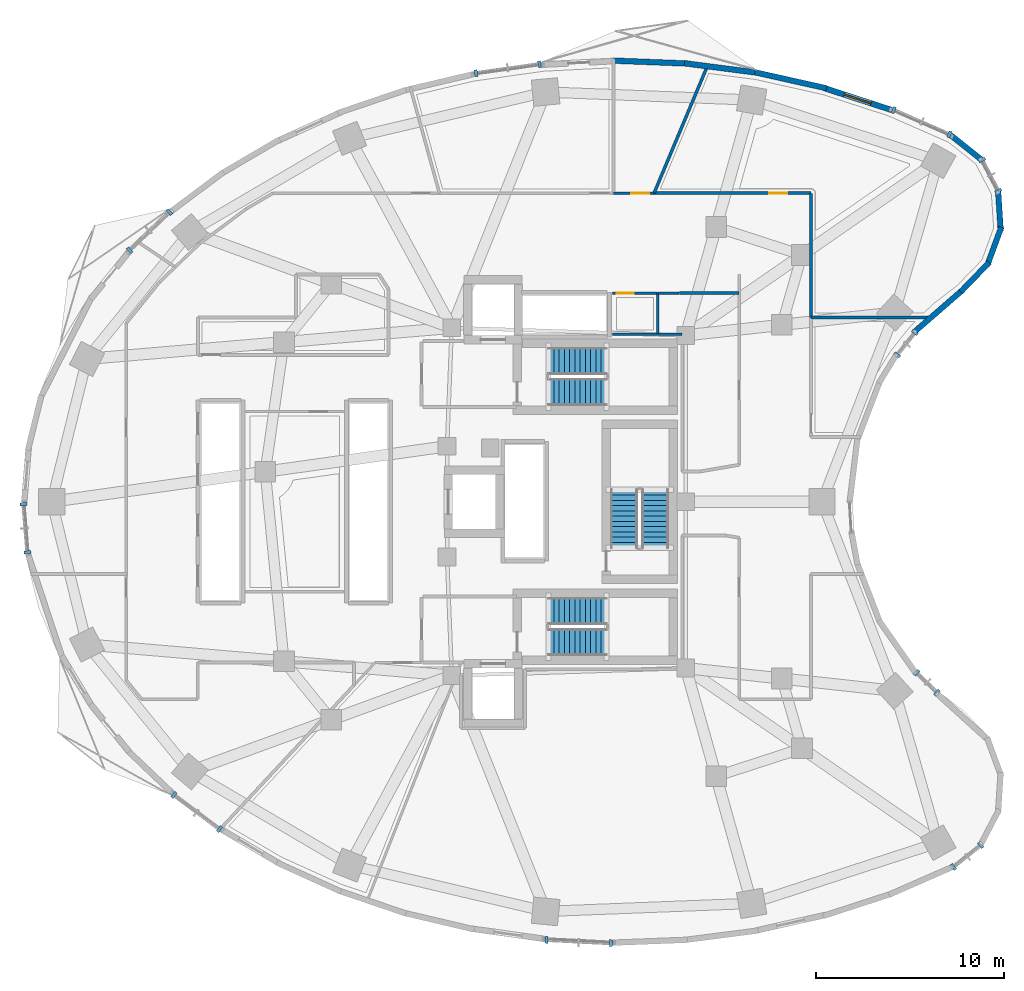
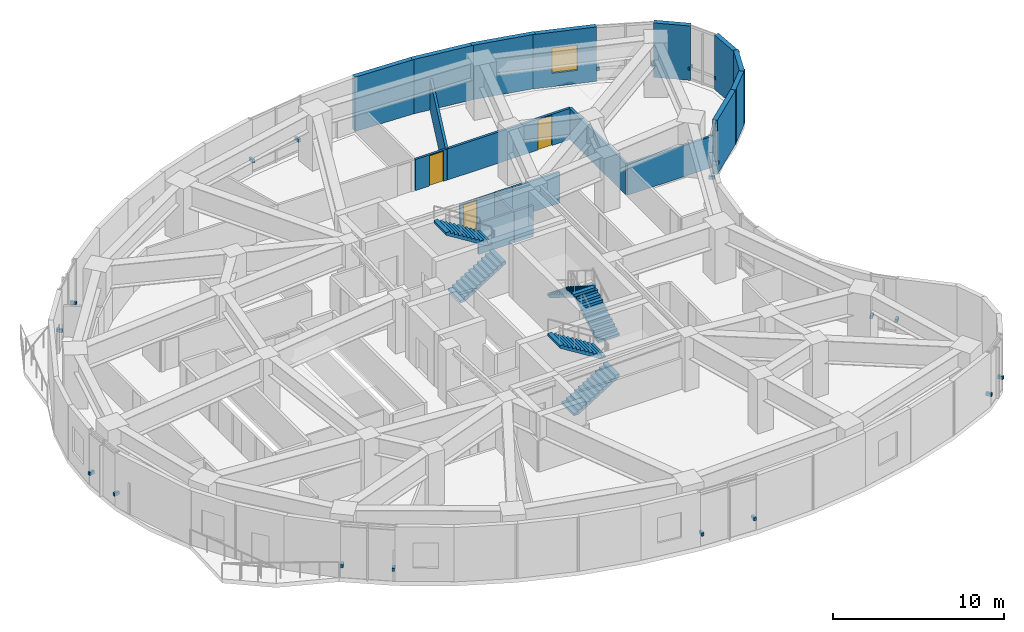
# One storey, part 10 of 13: 20 discrete accessories, 20 walls, 6 stair flights, 3 doors, 1 window, 4 openings, 3 elements without a shape of their own.
"""IFC4 building model written with IfcOpenShell, lengths in metres."""

from ifc_helpers import new_model, si_unit, direction, frame, frame_2d, origin, origin_2d, place, context, subcontext, project, spatial, polyline, rectangle, outline, extrude, material, layer, layer_set, type_object, element, fill, aggregate, save


model = new_model("IFC4")

# Units and contexts
model_context = context("Model", 3, precision=1e-05, world=origin(), true_north=direction((0.0, 1.0)))
body_context = subcontext(model_context, "Body", "Model", "MODEL_VIEW")
ifc_project = project(units=[si_unit("LENGTHUNIT", "METRE"), si_unit("AREAUNIT", "SQUARE_METRE"), si_unit("VOLUMEUNIT", "CUBIC_METRE"), si_unit("PLANEANGLEUNIT", "RADIAN"), si_unit("MASSUNIT", "GRAM", prefix="KILO")], contexts=[model_context])

# Site, building, storey
site_placement = place(None, origin())
site = spatial("IfcSite", under=ifc_project, at=site_placement, CompositionType="ELEMENT")
building_placement = place(site_placement, origin())
building = spatial("IfcBuilding", under=site, at=building_placement, Name="Korentha Bioscience Tower", CompositionType="ELEMENT")
storey_placement = place(building_placement, frame((0.0, 0.0, 80.39990234375)))
storey = spatial("IfcBuildingStorey", under=building, at=storey_placement, Name="L18", CompositionType="ELEMENT", Elevation=80.39990234375)

# Wall, opening, door
ifc_material_1 = material(Name="Double-Stud Acoustic Gypsum", Category="gypsum")
ifc_layer_1 = layer(ifc_material_1, 0.14990234375, Name="Double-Stud Acoustic Gypsum")
ifc_layer_set_1 = layer_set([ifc_layer_1], Name="Double-Stud Acoustic Gypsum (IW-L150)")
wall_type_1 = type_object("IfcWallType", Name="Acoustic Laboratory Partition Wall 150", PredefinedType="PARTITIONING", material=ifc_layer_set_1)
wall_1_placement = place(storey_placement, frame((35.850830078125, 43.409912109375, 0.0), z_axis=(0.0, 0.0, 1.0), x_axis=(-1.0, 0.0, 0.0)))
wall_1 = element("IfcWall", 1, at=wall_1_placement, inside=storey, type_object=wall_type_1, Name="L18 Wet Genomics Sequencing Laboratory 07 Entrance Wall", PredefinedType="PARTITIONING", context=body_context, shape_type="SweptSolid", body=[
    extrude(rectangle(XDim=2.14892578125, YDim=0.14990234375, at=frame_2d((1.074462890625, 0.0))), origin(), (0.0, 0.0, 1.0), 2.22021484375),
])
opening_1_placement = place(wall_1_placement, frame((0.239990234375, 0.0, 0.0)))
opening_1 = element("IfcOpeningElement", 2, at=opening_1_placement, cuts=wall_1, Name="Opening ID-10R", PredefinedType="OPENING", context=body_context, shape_type="SweptSolid", body=[
    extrude(rectangle(XDim=0.949951171875, YDim=2.14990234375, at=frame_2d((0.47509765625, 1.074951171875))), frame((0.0, 0.08984375, 0.0), z_axis=(0.0, -1.0, 0.0), x_axis=(1.0, 0.0, 0.0)), (0.0, 0.0, 1.0), 0.1796875),
])
ifc_material_2 = material(Name="Phenolic Laminate Timber Core", Category="wood")
door_type_1 = type_object("IfcDoorType", Name="Laboratory Single Leaf Door 950x2150 Right", OperationType="SINGLE_SWING_RIGHT", PredefinedType="DOOR", material=ifc_material_2)
door_1_placement = place(opening_1_placement, origin())
door_1 = element("IfcDoor", 3, at=door_1_placement, inside=storey, type_object=door_type_1, Name="L18 Wet Genomics Sequencing Laboratory 07 Door", OperationType="SINGLE_SWING_RIGHT", OverallHeight=2.14990234375, OverallWidth=0.949951171875, PredefinedType="DOOR", context=body_context, shape_type="SweptSolid", body=[
    extrude(rectangle(XDim=0.949951171875, YDim=2.14990234375, at=frame_2d((0.47509765625, 1.074951171875))), frame((0.0, 0.02490234375, 0.0), z_axis=(0.0, -1.0, 0.0), x_axis=(1.0, 0.0, 0.0)), (0.0, 0.0, 1.0), 0.050048828125),
])
fill(opening_1, door_1)

# Walls
wall_2_placement = place(storey_placement, frame((37.35009765625, 35.909912109375, 0.0), z_axis=(0.0, 0.0, 1.0), x_axis=(-1.0, 0.0, 0.0)))
element("IfcWall", 4, at=wall_2_placement, inside=storey, type_object=wall_type_1, Name="L18 Interior Partition 039", PredefinedType="PARTITIONING", context=body_context, shape_type="SweptSolid", body=[
    extrude(rectangle(XDim=1.2900390625, YDim=0.14990234375, at=frame_2d((0.64501953125, 0.0))), origin(), (0.0, 0.0, 1.0), 2.22021484375),
])
wall_3_placement = place(storey_placement, frame((36.06005859375, 38.090087890625, 0.0), z_axis=(0.0, 0.0, 1.0), x_axis=(1.0, 0.0, 0.0)))
element("IfcWall", 5, at=wall_3_placement, inside=storey, type_object=wall_type_1, Name="L18 Interior Partition 040", PredefinedType="PARTITIONING", context=body_context, shape_type="SweptSolid", body=[
    extrude(rectangle(XDim=1.139892578125, YDim=0.14990234375, at=frame_2d((0.56982421875, 0.0))), origin(), (0.0, 0.0, 1.0), 2.22021484375),
])
wall_4_placement = place(storey_placement, frame((37.2099609375, 38.10009765625, 0.0), z_axis=(0.0, 0.0, 1.0), x_axis=(1.0, 0.0, 0.0)))
element("IfcWall", 6, at=wall_4_placement, inside=storey, type_object=wall_type_1, Name="L18 Interior Partition 042", PredefinedType="PARTITIONING", context=body_context, shape_type="SweptSolid", body=[
    extrude(rectangle(XDim=3.179931640625, YDim=0.14990234375, at=frame_2d((1.58984375, 0.0))), origin(), (0.0, 0.0, 1.0), 2.22021484375),
])

# Wall, opening, door
ifc_material_3 = material(Name="Gypsum-Clad Steel Stud", Category="steel")
ifc_layer_2 = layer(ifc_material_3, 0.159912109375, Name="Gypsum-Clad Steel Stud")
ifc_layer_set_2 = layer_set([ifc_layer_2], Name="Gypsum-Clad Steel Stud (IW-C160)")
wall_type_2 = type_object("IfcWallType", Name="Fire-Rated Corridor Partition Wall 160", PredefinedType="PARTITIONING", material=ifc_layer_set_2)
wall_5_placement = place(storey_placement, frame((44.199951171875, 43.409912109375, 0.0), z_axis=(0.0, 0.0, 1.0), x_axis=(-1.0, 0.0, 0.0)))
wall_5 = element("IfcWall", 7, at=wall_5_placement, inside=storey, type_object=wall_type_2, Name="L18 Biosafety Equipment Store 06 Entrance Wall", PredefinedType="PARTITIONING", context=body_context, shape_type="SweptSolid", body=[
    extrude(rectangle(XDim=8.339111328125, YDim=0.159912109375, at=frame_2d((4.16943359375, 0.0))), origin(), (0.0, 0.0, 1.0), 2.22021484375),
])
opening_2_placement = place(wall_5_placement, frame((1.266357421875, 0.0, 0.0)))
opening_2 = element("IfcOpeningElement", 8, at=opening_2_placement, cuts=wall_5, Name="Opening ID-10L", PredefinedType="OPENING", context=body_context, shape_type="SweptSolid", body=[
    extrude(rectangle(XDim=0.949951171875, YDim=2.14990234375, at=frame_2d((0.47509765625, 1.074951171875))), frame((0.0, 0.0947265625, 0.0), z_axis=(0.0, -1.0, 0.0), x_axis=(1.0, 0.0, 0.0)), (0.0, 0.0, 1.0), 0.189697265625),
])
door_type_2 = type_object("IfcDoorType", Name="Laboratory Single Leaf Door 950x2150 Left", OperationType="SINGLE_SWING_LEFT", PredefinedType="DOOR", material=ifc_material_2)
door_2_placement = place(opening_2_placement, origin())
door_2 = element("IfcDoor", 9, at=door_2_placement, inside=storey, type_object=door_type_2, Name="L18 Biosafety Equipment Store 06 Door", OperationType="SINGLE_SWING_LEFT", OverallHeight=2.14990234375, OverallWidth=0.949951171875, PredefinedType="DOOR", context=body_context, shape_type="SweptSolid", body=[
    extrude(rectangle(XDim=0.949951171875, YDim=2.14990234375, at=frame_2d((0.47509765625, 1.074951171875))), frame((0.0, 0.02490234375, 0.0), z_axis=(0.0, -1.0, 0.0), x_axis=(1.0, 0.0, 0.0)), (0.0, 0.0, 1.0), 0.050048828125),
])
fill(opening_2, door_2)

# Walls
wall_6_placement = place(storey_placement, frame((44.2099609375, 36.798095703125, 0.0), z_axis=(0.0, 0.0, 1.0), x_axis=(1.0, 0.0, 0.0)))
element("IfcWall", 10, at=wall_6_placement, inside=storey, type_object=wall_type_2, Name="L18 Interior Partition 036", PredefinedType="PARTITIONING", context=body_context, shape_type="SweptSolid", body=[
    extrude(rectangle(XDim=6.343994140625, YDim=0.159912109375, at=frame_2d((3.171875, 0.0))), origin(), (0.0, 0.0, 1.0), 2.22021484375),
])
wall_7_placement = place(storey_placement, frame((44.2099609375, 36.80810546875, 0.0), z_axis=(0.0, 0.0, 1.0), x_axis=(0.0, 1.0, 0.0)))
element("IfcWall", 11, at=wall_7_placement, inside=storey, type_object=wall_type_2, Name="L18 Interior Partition 044", PredefinedType="PARTITIONING", context=body_context, shape_type="SweptSolid", body=[
    extrude(rectangle(XDim=6.591796875, YDim=0.159912109375, at=frame_2d((3.2958984375, 0.0))), origin(), (0.0, 0.0, 1.0), 2.22021484375),
])
wall_8_placement = place(storey_placement, frame((35.86083984375, 43.409912109375, 0.0), z_axis=(0.0, 0.0, 1.0), x_axis=(0.386904937991, 0.922119606645, 0.0)))
element("IfcWall", 12, at=wall_8_placement, inside=storey, type_object=wall_type_2, Name="L18 Interior Partition 045", PredefinedType="PARTITIONING", context=body_context, shape_type="SweptSolid", body=[
    extrude(rectangle(XDim=7.43896484375, YDim=0.159912109375, at=frame_2d((3.719482421875, 0.0))), origin(), (0.0, 0.0, 1.0), 2.22021484375),
])

# Wall, opening, window
ifc_material_4 = material(Name="Honed Limestone Precast Concrete C40", Category="masonry")
ifc_layer_3 = layer(ifc_material_4, 0.300048828125, Name="Honed Limestone Precast Concrete C40")
ifc_layer_set_3 = layer_set([ifc_layer_3], Name="Honed Limestone Precast Concrete C40 (EW-ST300)")
wall_type_3 = type_object("IfcWallType", Name="Honed Limestone Cavity Spandrel Wall 300", PredefinedType="STANDARD", material=ifc_layer_set_3)
wall_9_placement = place(storey_placement, frame((48.49951171875, 47.836181640625, 0.0), z_axis=(0.0, 0.0, 1.0), x_axis=(-0.950958033078, 0.30931993037, 0.0)))
wall_9 = element("IfcWall", 13, at=wall_9_placement, inside=storey, type_object=wall_type_3, Name="L18 Honed Limestone Spandrel Wall 02", PredefinedType="STANDARD", context=body_context, shape_type="SweptSolid", body=[
    extrude(rectangle(XDim=3.80029296875, YDim=0.300048828125, at=frame_2d((1.900146484375, 0.0))), origin(), (0.0, 0.0, 1.0), 3.880126953125),
])
opening_3_placement = place(wall_9_placement, frame((1.150146484375, 0.0, 0.949951171875)))
opening_3 = element("IfcOpeningElement", 14, at=opening_3_placement, cuts=wall_9, Name="Opening WN-02", PredefinedType="OPENING", context=body_context, shape_type="SweptSolid", body=[
    extrude(rectangle(XDim=1.5, YDim=1.800048828125, at=frame_2d((0.75, 0.89990234375))), frame((0.0, 0.1650390625, 0.0), z_axis=(0.0, -1.0, 0.0), x_axis=(1.0, 0.0, 0.0)), (0.0, 0.0, 1.0), 0.329833984375),
])
ifc_material_5 = material(Name="Thermally Broken Aluminium Triple Glazing", Category="aluminium")
window_type = type_object("IfcWindowType", Name="Acoustic Operable Office Window 1500x1800", PartitioningType="DOUBLE_PANEL_VERTICAL", PredefinedType="WINDOW", material=ifc_material_5)
window_placement = place(opening_3_placement, origin())
window = element("IfcWindow", 15, at=window_placement, inside=storey, type_object=window_type, Name="L18 Facade Window 02", OverallHeight=1.800048828125, OverallWidth=1.5, PartitioningType="DOUBLE_PANEL_VERTICAL", PredefinedType="WINDOW", context=body_context, shape_type="SweptSolid", body=[
    extrude(rectangle(XDim=1.5, YDim=1.800048828125, at=frame_2d((0.75, 0.89990234375))), frame((0.0, 0.030029296875, 0.0), z_axis=(0.0, -1.0, 0.0), x_axis=(1.0, 0.0, 0.0)), (0.0, 0.0, 1.0), 0.06005859375),
])
fill(opening_3, window)

# Walls
wall_10_placement = place(storey_placement, frame((45.03955078125, 48.9912109375, 0.0), z_axis=(0.0, 0.0, 1.0), x_axis=(-0.975868573345, 0.218358713032, 0.0)))
element("IfcWall", 16, at=wall_10_placement, inside=storey, type_object=wall_type_3, Name="L18 Limestone Perimeter Closure Wall 03", PredefinedType="STANDARD", context=body_context, shape_type="SweptSolid", body=[
    extrude(rectangle(XDim=3.90869140625, YDim=0.300048828125, at=frame_2d((1.954345703125, 0.0))), origin(), (0.0, 0.0, 1.0), 3.880126953125),
])
wall_11_placement = place(storey_placement, frame((41.39501953125, 49.814697265625, 0.0), z_axis=(0.0, 0.0, 1.0), x_axis=(-0.991734095036, 0.128310111617, 0.0)))
element("IfcWall", 17, at=wall_11_placement, inside=storey, type_object=wall_type_3, Name="L18 Limestone Perimeter Closure Wall 04", PredefinedType="STANDARD", context=body_context, shape_type="SweptSolid", body=[
    extrude(rectangle(XDim=3.955810546875, YDim=0.300048828125, at=frame_2d((1.97802734375, 0.0))), origin(), (0.0, 0.0, 1.0), 3.880126953125),
])
wall_12_placement = place(storey_placement, frame((37.643798828125, 50.307861328125, 0.0), z_axis=(0.0, 0.0, 1.0), x_axis=(-0.999245411623, 0.038840794937, 0.0)))
element("IfcWall", 18, at=wall_12_placement, inside=storey, type_object=wall_type_3, Name="L18 Limestone Perimeter Closure Wall 05", PredefinedType="STANDARD", context=body_context, shape_type="SweptSolid", body=[
    extrude(rectangle(XDim=3.978759765625, YDim=0.300048828125, at=frame_2d((1.9892578125, 0.0))), origin(), (0.0, 0.0, 1.0), 3.880126953125),
])
wall_13_placement = place(storey_placement, frame((49.708984375, 36.029296875, 0.0), z_axis=(0.0, 0.0, 1.0), x_axis=(0.754746490246, 0.656016566454, 0.0)))
element("IfcWall", 19, at=wall_13_placement, inside=storey, type_object=wall_type_3, Name="L18 Limestone Perimeter Closure Wall 56", PredefinedType="STANDARD", context=body_context, shape_type="SweptSolid", body=[
    extrude(rectangle(XDim=3.4296875, YDim=0.300048828125, at=frame_2d((1.71484375, 0.0))), origin(), (0.0, 0.0, 1.0), 3.880126953125),
])
wall_14_placement = place(storey_placement, frame((52.1728515625, 38.1611328125, 0.0), z_axis=(0.0, 0.0, 1.0), x_axis=(0.695404695719, 0.718618333451, 0.0)))
element("IfcWall", 20, at=wall_14_placement, inside=storey, type_object=wall_type_3, Name="L18 Limestone Perimeter Closure Wall 58", PredefinedType="STANDARD", context=body_context, shape_type="SweptSolid", body=[
    extrude(rectangle(XDim=2.1875, YDim=0.300048828125, at=frame_2d((1.09375, 0.0))), origin(), (0.0, 0.0, 1.0), 3.880126953125),
])
for number, where, z_axis, x_axis, name in (
    (21, (53.580078125, 39.551513671875, 0.0), (0.0, 0.0, 1.0), (0.344939866054, 0.938624785954, 0.0), "L18 Limestone Perimeter Closure Wall 59"),
    (22, (54.303955078125, 41.392578125, 0.0), (0.0, 0.0, 1.0), (-0.064615302336, 0.99791024782, 0.0), "L18 Limestone Perimeter Closure Wall 60"),
    (23, (53.343994140625, 45.142822265625, 0.0), (0.0, 0.0, 1.0), (-0.782282158644, 0.622924252432, 0.0), "L18 Limestone Perimeter Closure Wall 62"),
):
    element("IfcWall", number, at=place(storey_placement, frame(where, z_axis=z_axis, x_axis=x_axis)), inside=storey, type_object=wall_type_3, Name=name, PredefinedType="STANDARD", context=body_context, shape_type="SweptSolid", body=[
        extrude(rectangle(XDim=2.187744140625, YDim=0.300048828125, at=frame_2d((1.09375, 0.0))), origin(), (0.0, 0.0, 1.0), 3.880126953125),
    ])

# Wall, opening, door
ifc_material_6 = material(Name="Cement-Board Steel Stud", Category="steel")
ifc_layer_4 = layer(ifc_material_6, 0.1298828125, Name="Cement-Board Steel Stud")
ifc_layer_set_4 = layer_set([ifc_layer_4], Name="Cement-Board Steel Stud (IW-W130)")
wall_type_4 = type_object("IfcWallType", Name="Wet-Area Moisture-Resistant Partition 130", PredefinedType="PARTITIONING", material=ifc_layer_set_4)
wall_15_placement = place(storey_placement, frame((33.64990234375, 38.090087890625, 0.0), z_axis=(0.0, 0.0, 1.0), x_axis=(1.0, 0.0, 0.0)))
wall_15 = element("IfcWall", 24, at=wall_15_placement, inside=storey, type_object=wall_type_4, Name="L18 Accessible Staff WC Entrance Wall", PredefinedType="PARTITIONING", context=body_context, shape_type="SweptSolid", body=[
    extrude(rectangle(XDim=2.400146484375, YDim=0.1298828125, at=frame_2d((1.2001953125, 0.0))), origin(), (0.0, 0.0, 1.0), 2.22021484375),
])
opening_4_placement = place(wall_15_placement, frame((0.239990234375, 0.0, 0.0)))
opening_4 = element("IfcOpeningElement", 25, at=opening_4_placement, cuts=wall_15, Name="Opening ID-09L", PredefinedType="OPENING", context=body_context, shape_type="SweptSolid", body=[
    extrude(rectangle(XDim=0.89990234375, YDim=2.14990234375, at=frame_2d((0.449951171875, 1.074951171875))), frame((0.0, 0.079833984375, 0.0), z_axis=(0.0, -1.0, 0.0), x_axis=(1.0, 0.0, 0.0)), (0.0, 0.0, 1.0), 0.15966796875),
])
ifc_material_7 = material(Name="Moisture-Resistant HPL Leaf", Category="wood")
door_type_3 = type_object("IfcDoorType", Name="Restroom & Accessible WC Door 900x2150 Left", OperationType="SINGLE_SWING_LEFT", PredefinedType="DOOR", material=ifc_material_7)
door_3_placement = place(opening_4_placement, origin())
door_3 = element("IfcDoor", 26, at=door_3_placement, inside=storey, type_object=door_type_3, Name="L18 Accessible Staff WC Door", OperationType="SINGLE_SWING_LEFT", OverallHeight=2.14990234375, OverallWidth=0.89990234375, PredefinedType="DOOR", context=body_context, shape_type="SweptSolid", body=[
    extrude(rectangle(XDim=0.89990234375, YDim=2.14990234375, at=frame_2d((0.449951171875, 1.074951171875))), frame((0.0, 0.02490234375, 0.0), z_axis=(0.0, -1.0, 0.0), x_axis=(1.0, 0.0, 0.0)), (0.0, 0.0, 1.0), 0.050048828125),
])
fill(opening_4, door_3)

# Walls
wall_16_placement = place(storey_placement, frame((36.050048828125, 35.909912109375, 0.0), z_axis=(0.0, 0.0, 1.0), x_axis=(-1.0, 0.0, 0.0)))
element("IfcWall", 27, at=wall_16_placement, inside=storey, type_object=wall_type_4, Name="L18 Interior Partition 014", PredefinedType="PARTITIONING", context=body_context, shape_type="SweptSolid", body=[
    extrude(rectangle(XDim=2.400146484375, YDim=0.1298828125, at=frame_2d((1.2001953125, 0.0))), origin(), (0.0, 0.0, 1.0), 2.22021484375),
])
wall_17_placement = place(storey_placement, frame((36.050048828125, 38.090087890625, 0.0), z_axis=(0.0, 0.0, 1.0), x_axis=(0.0, -1.0, 0.0)))
element("IfcWall", 28, at=wall_17_placement, inside=storey, type_object=wall_type_4, Name="L18 Interior Partition 015", PredefinedType="PARTITIONING", context=body_context, shape_type="SweptSolid", body=[
    extrude(rectangle(XDim=2.18017578125, YDim=0.1298828125, at=frame_2d((1.090087890625, 0.0))), origin(), (0.0, 0.0, 1.0), 2.22021484375),
])

# Stair, stair flights
ifc_material_8 = material(Name="Precast Concrete C50", Category="concrete")
stair_type = type_object("IfcStairType", Name="Core Exit Dog-Leg Stair 1450", PredefinedType="HALF_TURN_STAIR", material=ifc_material_8)
stair_1_placement = place(storey_placement, origin())
stair_1 = element("IfcStair", 29, at=stair_1_placement, inside=storey, type_object=stair_type, Name="L18 Tower North Pressurized Exit Stair ST-1", PredefinedType="HALF_TURN_STAIR")
stair_flight_type = type_object("IfcStairFlightType", Name="Core Exit Dog-Leg Stair 1450 Flight", PredefinedType="STRAIGHT", material=ifc_material_8)
stair_flight_1_placement = place(storey_placement, frame((30.25, 32.824951171875, 0.0), z_axis=(0.0, 0.0, 1.0), x_axis=(1.0, 0.0, 0.0)))
stair_flight_1 = element("IfcStairFlight", 30, at=stair_flight_1_placement, type_object=stair_flight_type, Name="ST-1 flight 1", NumberOfRisers=12, NumberOfTreads=11, PredefinedType="STRAIGHT", RiserHeight=0.175, TreadLength=0.28, context=body_context, shape_type="SweptSolid", body=[
    extrude(outline(polyline([(0.0, 0.0), (0.0, 0.175048828125), (0.280029296875, 0.175048828125), (0.280029296875, 0.35009765625), (0.56005859375, 0.35009765625), (0.56005859375, 0.52490234375), (0.840087890625, 0.52490234375), (0.840087890625, 0.699951171875), (1.1201171875, 0.699951171875), (1.1201171875, 0.875), (1.39990234375, 0.875), (1.39990234375, 1.050048828125), (1.679931640625, 1.050048828125), (1.679931640625, 1.22509765625), (1.9599609375, 1.22509765625), (1.9599609375, 1.39990234375), (2.239990234375, 1.39990234375), (2.239990234375, 1.574951171875), (2.52001953125, 1.574951171875), (2.52001953125, 1.75), (2.800048828125, 1.75), (2.800048828125, 1.925048828125), (3.080078125, 1.925048828125), (3.080078125, 2.10009765625), (3.080078125, 1.736328125), (0.3017578125, 0.0), (0.0, 0.0)])), frame((0.0, 0.72509765625, 0.0), z_axis=(0.0, -1.0, 0.0), x_axis=(1.0, 0.0, 0.0)), (0.0, 0.0, 1.0), 1.449951171875),
])
stair_flight_2_placement = place(storey_placement, frame((33.330078125, 34.47509765625, 2.10009765625), z_axis=(0.0, 0.0, 1.0), x_axis=(-1.0, 0.0, 0.0)))
stair_flight_2 = element("IfcStairFlight", 31, at=stair_flight_2_placement, type_object=stair_flight_type, Name="ST-1 flight 2", NumberOfRisers=12, NumberOfTreads=11, PredefinedType="STRAIGHT", RiserHeight=0.175, TreadLength=0.28, context=body_context, shape_type="SweptSolid", body=[
    extrude(outline(polyline([(0.0, 0.0), (0.0, 0.175048828125), (0.280029296875, 0.175048828125), (0.280029296875, 0.35009765625), (0.56005859375, 0.35009765625), (0.56005859375, 0.52490234375), (0.840087890625, 0.52490234375), (0.840087890625, 0.699951171875), (1.1201171875, 0.699951171875), (1.1201171875, 0.875), (1.39990234375, 0.875), (1.39990234375, 1.050048828125), (1.679931640625, 1.050048828125), (1.679931640625, 1.22509765625), (1.9599609375, 1.22509765625), (1.9599609375, 1.39990234375), (2.239990234375, 1.39990234375), (2.239990234375, 1.574951171875), (2.52001953125, 1.574951171875), (2.52001953125, 1.75), (2.800048828125, 1.75), (2.800048828125, 1.925048828125), (3.080078125, 1.925048828125), (3.080078125, 2.10009765625), (3.080078125, 1.736328125), (0.3017578125, 0.0), (0.0, 0.0)])), frame((0.0, 0.72509765625, 0.0), z_axis=(0.0, -1.0, 0.0), x_axis=(1.0, 0.0, 0.0)), (0.0, 0.0, 1.0), 1.449951171875),
])
aggregate(stair_1, [stair_flight_1, stair_flight_2])

stair_2_placement = place(storey_placement, origin())
stair_2 = element("IfcStair", 32, at=stair_2_placement, inside=storey, type_object=stair_type, Name="L18 Tower South Pressurized Exit Stair ST-2", PredefinedType="HALF_TURN_STAIR")
stair_flight_3_placement = place(storey_placement, frame((30.25, 19.52490234375, 0.0), z_axis=(0.0, 0.0, 1.0), x_axis=(1.0, 0.0, 0.0)))
stair_flight_3 = element("IfcStairFlight", 33, at=stair_flight_3_placement, type_object=stair_flight_type, Name="ST-2 flight 1", NumberOfRisers=12, NumberOfTreads=11, PredefinedType="STRAIGHT", RiserHeight=0.175, TreadLength=0.28, context=body_context, shape_type="SweptSolid", body=[
    extrude(outline(polyline([(0.0, 0.0), (0.0, 0.175048828125), (0.280029296875, 0.175048828125), (0.280029296875, 0.35009765625), (0.56005859375, 0.35009765625), (0.56005859375, 0.52490234375), (0.840087890625, 0.52490234375), (0.840087890625, 0.699951171875), (1.1201171875, 0.699951171875), (1.1201171875, 0.875), (1.39990234375, 0.875), (1.39990234375, 1.050048828125), (1.679931640625, 1.050048828125), (1.679931640625, 1.22509765625), (1.9599609375, 1.22509765625), (1.9599609375, 1.39990234375), (2.239990234375, 1.39990234375), (2.239990234375, 1.574951171875), (2.52001953125, 1.574951171875), (2.52001953125, 1.75), (2.800048828125, 1.75), (2.800048828125, 1.925048828125), (3.080078125, 1.925048828125), (3.080078125, 2.10009765625), (3.080078125, 1.736328125), (0.3017578125, 0.0), (0.0, 0.0)])), frame((0.0, 0.72509765625, 0.0), z_axis=(0.0, -1.0, 0.0), x_axis=(1.0, 0.0, 0.0)), (0.0, 0.0, 1.0), 1.449951171875),
])
stair_flight_4_placement = place(storey_placement, frame((33.330078125, 21.175048828125, 2.10009765625), z_axis=(0.0, 0.0, 1.0), x_axis=(-1.0, 0.0, 0.0)))
stair_flight_4 = element("IfcStairFlight", 34, at=stair_flight_4_placement, type_object=stair_flight_type, Name="ST-2 flight 2", NumberOfRisers=12, NumberOfTreads=11, PredefinedType="STRAIGHT", RiserHeight=0.175, TreadLength=0.28, context=body_context, shape_type="SweptSolid", body=[
    extrude(outline(polyline([(0.0, 0.0), (0.0, 0.175048828125), (0.280029296875, 0.175048828125), (0.280029296875, 0.35009765625), (0.56005859375, 0.35009765625), (0.56005859375, 0.52490234375), (0.840087890625, 0.52490234375), (0.840087890625, 0.699951171875), (1.1201171875, 0.699951171875), (1.1201171875, 0.875), (1.39990234375, 0.875), (1.39990234375, 1.050048828125), (1.679931640625, 1.050048828125), (1.679931640625, 1.22509765625), (1.9599609375, 1.22509765625), (1.9599609375, 1.39990234375), (2.239990234375, 1.39990234375), (2.239990234375, 1.574951171875), (2.52001953125, 1.574951171875), (2.52001953125, 1.75), (2.800048828125, 1.75), (2.800048828125, 1.925048828125), (3.080078125, 1.925048828125), (3.080078125, 2.10009765625), (3.080078125, 1.736328125), (0.3017578125, 0.0), (0.0, 0.0)])), frame((0.0, 0.72509765625, 0.0), z_axis=(0.0, -1.0, 0.0), x_axis=(1.0, 0.0, 0.0)), (0.0, 0.0, 1.0), 1.449951171875),
])
aggregate(stair_2, [stair_flight_3, stair_flight_4])

stair_3_placement = place(storey_placement, origin())
stair_3 = element("IfcStair", 35, at=stair_3_placement, inside=storey, type_object=stair_type, Name="L18 Tower Central Pressurized Exit Stair ST-3", PredefinedType="HALF_TURN_STAIR")
stair_flight_5_placement = place(storey_placement, frame((35.925048828125, 24.550048828125, 0.0), z_axis=(0.0, 0.0, 1.0), x_axis=(0.0, 1.0, 0.0)))
stair_flight_5 = element("IfcStairFlight", 36, at=stair_flight_5_placement, type_object=stair_flight_type, Name="ST-3 flight 1", NumberOfRisers=12, NumberOfTreads=11, PredefinedType="STRAIGHT", RiserHeight=0.175, TreadLength=0.28, context=body_context, shape_type="SweptSolid", body=[
    extrude(outline(polyline([(0.0, 0.0), (0.0, 0.175048828125), (0.280029296875, 0.175048828125), (0.280029296875, 0.35009765625), (0.56005859375, 0.35009765625), (0.56005859375, 0.52490234375), (0.840087890625, 0.52490234375), (0.840087890625, 0.699951171875), (1.1201171875, 0.699951171875), (1.1201171875, 0.875), (1.39990234375, 0.875), (1.39990234375, 1.050048828125), (1.679931640625, 1.050048828125), (1.679931640625, 1.22509765625), (1.9599609375, 1.22509765625), (1.9599609375, 1.39990234375), (2.239990234375, 1.39990234375), (2.239990234375, 1.574951171875), (2.52001953125, 1.574951171875), (2.52001953125, 1.75), (2.800048828125, 1.75), (2.800048828125, 1.925048828125), (3.080078125, 1.925048828125), (3.080078125, 2.10009765625), (3.080078125, 1.736328125), (0.3017578125, 0.0), (0.0, 0.0)])), frame((0.0, 0.72509765625, 0.0), z_axis=(0.0, -1.0, 0.0), x_axis=(1.0, 0.0, 0.0)), (0.0, 0.0, 1.0), 1.449951171875),
])
stair_flight_6_placement = place(storey_placement, frame((34.27490234375, 27.6298828125, 2.10009765625), z_axis=(0.0, 0.0, 1.0), x_axis=(0.0, -1.0, 0.0)))
stair_flight_6 = element("IfcStairFlight", 37, at=stair_flight_6_placement, type_object=stair_flight_type, Name="ST-3 flight 2", NumberOfRisers=12, NumberOfTreads=11, PredefinedType="STRAIGHT", RiserHeight=0.175, TreadLength=0.28, context=body_context, shape_type="SweptSolid", body=[
    extrude(outline(polyline([(0.0, 0.0), (0.0, 0.175048828125), (0.280029296875, 0.175048828125), (0.280029296875, 0.35009765625), (0.56005859375, 0.35009765625), (0.56005859375, 0.52490234375), (0.840087890625, 0.52490234375), (0.840087890625, 0.699951171875), (1.1201171875, 0.699951171875), (1.1201171875, 0.875), (1.39990234375, 0.875), (1.39990234375, 1.050048828125), (1.679931640625, 1.050048828125), (1.679931640625, 1.22509765625), (1.9599609375, 1.22509765625), (1.9599609375, 1.39990234375), (2.239990234375, 1.39990234375), (2.239990234375, 1.574951171875), (2.52001953125, 1.574951171875), (2.52001953125, 1.75), (2.800048828125, 1.75), (2.800048828125, 1.925048828125), (3.080078125, 1.925048828125), (3.080078125, 2.10009765625), (3.080078125, 1.736328125), (0.3017578125, 0.0), (0.0, 0.0)])), frame((0.0, 0.72509765625, 0.0), z_axis=(0.0, -1.0, 0.0), x_axis=(1.0, 0.0, 0.0)), (0.0, 0.0, 1.0), 1.449951171875),
])
aggregate(stair_3, [stair_flight_5, stair_flight_6])

# Discrete accessories
ifc_material_9 = material(Name="Stainless Steel 316", Category="steel")
discrete_accessory_type = type_object("IfcDiscreteAccessoryType", Name="Stainless Steel Solar-Screen Outrigger Bracket", PredefinedType="BRACKET", material=ifc_material_9)
for number, where, z_axis, x_axis, name in (
    (38, (51.572998046875, 46.536865234375, 0.740234375), (0.0, 0.0, 1.0), (-0.91593909057, 0.401317308828, 0.0), "CW-L18-01 Solar-Screen Support Bracket 1"),
    (39, (48.61279296875, 47.833740234375, 0.740234375), (0.0, 0.0, 1.0), (-0.91593909057, 0.401317308828, 0.0), "CW-L18-01 Solar-Screen Support Bracket 2"),
    (40, (29.76611328125, 50.271240234375, 0.740234375), (0.0, 0.0, 1.0), (-0.990167372968, -0.139887717511, 0.0), "CW-L18-07 Solar-Screen Support Bracket 1"),
    (41, (26.39306640625, 49.794677734375, 0.740234375), (0.0, 0.0, 1.0), (-0.990167372968, -0.139887717511, 0.0), "CW-L18-07 Solar-Screen Support Bracket 2"),
    (42, (10.08251953125, 42.396728515625, 0.740234375), (0.0, 0.0, 1.0), (-0.723641761581, -0.690175775361, 0.0), "CW-L18-13 Solar-Screen Support Bracket 1"),
    (43, (7.966552734375, 40.378662109375, 0.740234375), (0.0, 0.0, 1.0), (-0.723641761581, -0.690175775361, 0.0), "CW-L18-13 Solar-Screen Support Bracket 2"),
    (44, (2.320556640625, 26.8740234375, 0.740234375), (0.0, 0.0, 1.0), (0.080820466375, -0.996728675325, 0.0), "CW-L18-19 Solar-Screen Support Bracket 1"),
    (45, (2.5283203125, 24.31298828125, 0.740234375), (0.0, 0.0, 1.0), (0.080820466375, -0.996728675325, 0.0), "CW-L18-19 Solar-Screen Support Bracket 2"),
    (46, (10.3212890625, 11.402099609375, 0.740234375), (0.0, 0.0, 1.0), (0.800797909614, -0.598934644145, 0.0), "CW-L18-25 Solar-Screen Support Bracket 1"),
    (47, (12.74609375, 9.58837890625, 0.740234375), (0.0, 0.0, 1.0), (0.800797909614, -0.598934644145, 0.0), "CW-L18-25 Solar-Screen Support Bracket 2"),
    (48, (30.14013671875, 3.693115234375, 0.740234375), (0.0, 0.0, 1.0), (0.998730551641, -0.050371472279, 0.0), "CW-L18-31 Solar-Screen Support Bracket 1"),
    (49, (33.565185546875, 3.520263671875, 0.740234375), (0.0, 0.0, 1.0), (0.998730551641, -0.050371472279, 0.0), "CW-L18-31 Solar-Screen Support Bracket 2"),
    (50, (51.781494140625, 7.57470703125, 0.740234375), (0.0, 0.0, 1.0), (0.782287851332, 0.62291710336, 0.0), "CW-L18-37 Solar-Screen Support Bracket 1"),
    (51, (53.232421875, 8.72998046875, 0.740234375), (0.0, 0.0, 1.0), (0.782287851332, 0.62291710336, 0.0), "CW-L18-37 Solar-Screen Support Bracket 2"),
    (52, (50.907470703125, 16.841552734375, 0.740234375), (0.0, 0.0, 1.0), (-0.713279246754, 0.700879958445, 0.0), "CW-L18-43 Solar-Screen Support Bracket 1"),
    (53, (49.829345703125, 17.901123046875, 0.740234375), (0.0, 0.0, 1.0), (-0.713279246754, 0.700879958445, 0.0), "CW-L18-43 Solar-Screen Support Bracket 2"),
    (54, (48.794921875, 34.812255859375, 0.740234375), (0.0, 0.0, 1.0), (0.622520324648, 0.782603632371, 0.0), "CW-L18-55 Solar-Screen Support Bracket 1"),
    (55, (49.736083984375, 35.995361328125, 0.740234375), (0.0, 0.0, 1.0), (0.622520324648, 0.782603632371, 0.0), "CW-L18-55 Solar-Screen Support Bracket 2"),
    (56, (54.169921875, 43.530517578125, 0.740234375), (0.0, 0.0, 1.0), (-0.463008597697, 0.886353788539, 0.0), "CW-L18-61 Solar-Screen Support Bracket 1"),
    (57, (53.31103515625, 45.1748046875, 0.740234375), (0.0, 0.0, 1.0), (-0.463008597697, 0.886353788539, 0.0), "CW-L18-61 Solar-Screen Support Bracket 2"),
):
    element("IfcDiscreteAccessory", number, at=place(storey_placement, frame(where, z_axis=z_axis, x_axis=x_axis)), inside=storey, type_object=discrete_accessory_type, Name=name, PredefinedType="BRACKET", context=body_context, shape_type="SweptSolid", body=[
        extrude(rectangle(XDim=0.159912109375, YDim=0.360107421875, at=origin_2d()), origin(), (0.0, 0.0, 1.0), 0.219970703125),
    ])

save(model, "model.ifc")
